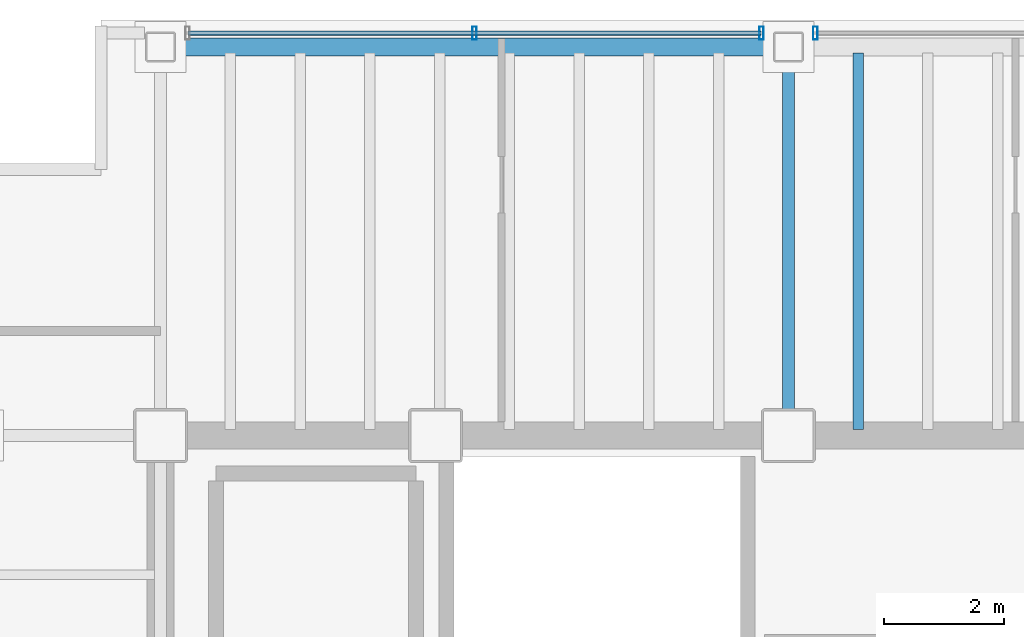
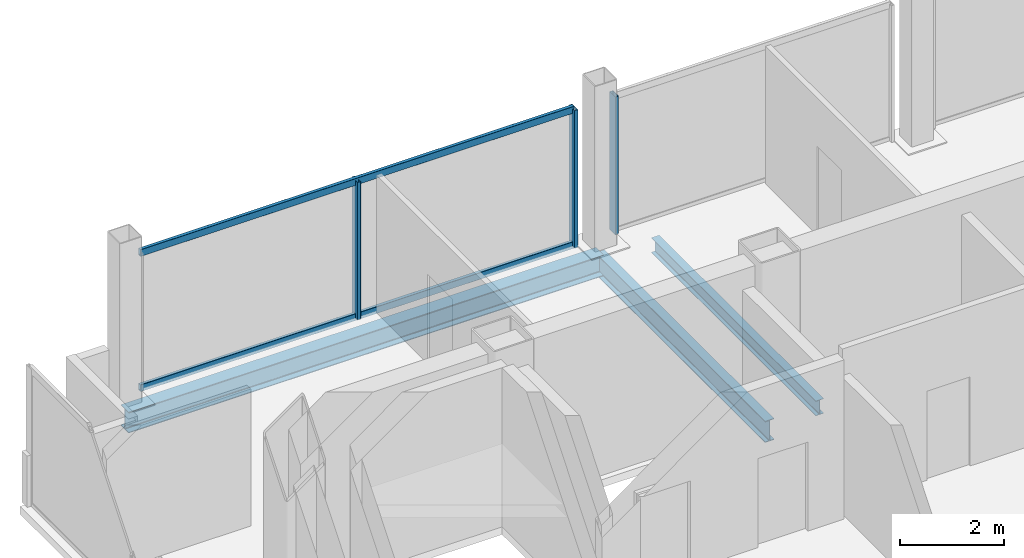
# One storey, part 7 of 16: 5 members, 3 beams, 2 elements without a shape of their own.
"""IFC4 building model written with IfcOpenShell, lengths in metres."""

from ifc_helpers import new_model, si_unit, direction, frame, origin, origin_2d, place, context, subcontext, project, spatial, hollow_rectangle, i_section, extrude, material, material_profile, profile_set, type_object, element, aggregate, save


model = new_model("IFC4")

# Units and contexts
model_context = context("Model", 3, precision=1e-05, world=origin(), true_north=direction((0.0, 1.0)))
body_context = subcontext(model_context, "Body", "Model", "MODEL_VIEW")
ifc_project = project(units=[si_unit("LENGTHUNIT", "METRE"), si_unit("AREAUNIT", "SQUARE_METRE"), si_unit("VOLUMEUNIT", "CUBIC_METRE"), si_unit("PLANEANGLEUNIT", "RADIAN"), si_unit("MASSUNIT", "GRAM", prefix="KILO")], contexts=[model_context])

# Site, building, storey
site_placement = place(None, origin())
site = spatial("IfcSite", under=ifc_project, at=site_placement, CompositionType="ELEMENT")
building_placement = place(site_placement, origin())
building = spatial("IfcBuilding", under=site, at=building_placement, Name="Noeulbin Bourse Tower", CompositionType="ELEMENT")
storey_placement = place(building_placement, frame((0.0, 0.0, 185.10009765625)))
storey = spatial("IfcBuildingStorey", under=building, at=storey_placement, Name="L46", CompositionType="ELEMENT", Elevation=185.10009765625)

# Beams
ifc_material_1 = material(Name="Steel S355", Category="steel")
ifc_material_profile_1 = material_profile(ifc_material_1, i_section(OverallWidth=0.199951171875, OverallDepth=0.5, WebThickness=0.010009765625, FlangeThickness=0.01611328125, FilletRadius=0.02001953125, at=origin_2d()), Name="H-500x200x10x16", Category="LoadBearing")
ifc_profile_set_1 = profile_set([ifc_material_profile_1], Name="Steel S355")
beam_type_1 = type_object("IfcBeamType", Name="BM-GRD-500", PredefinedType="USERDEFINED", material=ifc_profile_set_1)
beam_1_placement = place(storey_placement, frame((24.0, 38.300048828125, -0.43017578125), z_axis=(0.0, 1.0, 0.0), x_axis=(-1.0, 0.0, 0.0)))
element("IfcBeam", 1, at=beam_1_placement, inside=storey, type_object=beam_type_1, Name="Tower Primary Girder NS L46-2.4", ObjectType="GIRDER", PredefinedType="USERDEFINED", context=body_context, shape_type="SweptSolid", body=[
    extrude(i_section(OverallWidth=0.199951171875, OverallDepth=0.5, WebThickness=0.010009765625, FlangeThickness=0.01611328125, FilletRadius=0.02001953125, at=origin_2d()), origin(), (0.0, 0.0, 1.0), 6.5),
])
ifc_material_profile_2 = material_profile(ifc_material_1, i_section(OverallWidth=0.175048828125, OverallDepth=0.35009765625, WebThickness=0.007080078125, FlangeThickness=0.010986328125, FilletRadius=0.013916015625, at=origin_2d()), Name="H-350x175x7x11", Category="LoadBearing")
ifc_profile_set_2 = profile_set([ifc_material_profile_2], Name="Steel S355")
beam_type_2 = type_object("IfcBeamType", Name="BM-JST-350", PredefinedType="JOIST", material=ifc_profile_set_2)
beam_2_placement = place(storey_placement, frame((25.166748046875, 38.39990234375, -0.35498046875), z_axis=(0.0, 1.0, 0.0), x_axis=(-1.0, 0.0, 0.0)))
element("IfcBeam", 2, at=beam_2_placement, inside=storey, type_object=beam_type_2, Name="Tower Composite Joist L46-27", PredefinedType="JOIST", context=body_context, shape_type="SweptSolid", body=[
    extrude(i_section(OverallWidth=0.175048828125, OverallDepth=0.35009765625, WebThickness=0.007080078125, FlangeThickness=0.010986328125, FilletRadius=0.013916015625, at=origin_2d()), origin(), (0.0, 0.0, 1.0), 6.300048828125),
])
ifc_material_profile_3 = material_profile(ifc_material_1, i_section(OverallWidth=0.300048828125, OverallDepth=0.488037109375, WebThickness=0.010986328125, FlangeThickness=0.01806640625, FilletRadius=0.02197265625, at=origin_2d()), Name="H-488x300x11x18", Category="LoadBearing")
ifc_profile_set_3 = profile_set([ifc_material_profile_3], Name="Steel S355")
beam_type_3 = type_object("IfcBeamType", Name="BM-SPN-488", PredefinedType="SPANDREL", material=ifc_profile_set_3)
beam_3_placement = place(storey_placement, frame((13.5, 44.800048828125, -0.424072265625), z_axis=(1.0, 0.0, 0.0), x_axis=(0.0, 1.0, 0.0)))
element("IfcBeam", 3, at=beam_3_placement, inside=storey, type_object=beam_type_3, Name="North Spandrel L46-1", PredefinedType="SPANDREL", context=body_context, shape_type="SweptSolid", body=[
    extrude(i_section(OverallWidth=0.300048828125, OverallDepth=0.488037109375, WebThickness=0.010986328125, FlangeThickness=0.01806640625, FilletRadius=0.02197265625, at=origin_2d()), origin(), (0.0, 0.0, 1.0), 10.5),
])

# Curtain wall, members
ifc_material_2 = material(Name="Dark Tinted Triple Glazing", Category="glass")
curtain_wall_type = type_object("IfcCurtainWallType", Name="CW-SYS-3", PredefinedType="NOTDEFINED", material=ifc_material_2)
curtain_wall_1_placement = place(storey_placement, origin())
curtain_wall_1 = element("IfcCurtainWall", 4, at=curtain_wall_1_placement, inside=storey, type_object=curtain_wall_type, Name="Unitised Curtain Wall CW-L46-N-S1", PredefinedType="NOTDEFINED")
ifc_material_3 = material(Name="Anodised Aluminium 6063-T6", Category="aluminium")
ifc_material_profile_4 = material_profile(ifc_material_3, hollow_rectangle(XDim=0.074951171875, YDim=0.219970703125, WallThickness=0.0048828125, InnerFilletRadius=0.00244140625, OuterFilletRadius=0.0048828125, at=origin_2d()), Name="ALU-MULL-75x220x5", Category="LoadBearing")
ifc_profile_set_4 = profile_set([ifc_material_profile_4], Name="Anodised Aluminium 6063-T6")
member_type_1 = type_object("IfcMemberType", Name="CW-SYS-3-MUL", PredefinedType="MULLION", material=ifc_profile_set_4)
member_1_placement = place(storey_placement, frame((18.75, 45.030029296875, -0.02001953125), z_axis=(0.0, 0.0, 1.0), x_axis=(1.0, 0.0, 0.0)))
member_1 = element("IfcMember", 5, at=member_1_placement, type_object=member_type_1, Name="Curtain Wall Mullion CW-L46-N-S1-M01", PredefinedType="MULLION", context=body_context, shape_type="SweptSolid", body=[
    extrude(hollow_rectangle(XDim=0.074951171875, YDim=0.219970703125, WallThickness=0.0048828125, InnerFilletRadius=0.00244140625, OuterFilletRadius=0.0048828125, at=origin_2d()), origin(), (0.0, 0.0, 1.0), 3.219970703125),
])
member_2_placement = place(storey_placement, frame((23.550048828125, 45.030029296875, -0.02001953125), z_axis=(0.0, 0.0, 1.0), x_axis=(1.0, 0.0, 0.0)))
member_2 = element("IfcMember", 6, at=member_2_placement, type_object=member_type_1, Name="Curtain Wall Mullion CW-L46-N-S1-M02", PredefinedType="MULLION", context=body_context, shape_type="SweptSolid", body=[
    extrude(hollow_rectangle(XDim=0.074951171875, YDim=0.219970703125, WallThickness=0.0048828125, InnerFilletRadius=0.00244140625, OuterFilletRadius=0.0048828125, at=origin_2d()), origin(), (0.0, 0.0, 1.0), 3.219970703125),
])

# Curtain wall, member
curtain_wall_2_placement = place(storey_placement, origin())
curtain_wall_2 = element("IfcCurtainWall", 7, at=curtain_wall_2_placement, inside=storey, type_object=curtain_wall_type, Name="Unitised Curtain Wall CW-L46-N-S2", PredefinedType="NOTDEFINED")
member_3_placement = place(storey_placement, frame((24.449951171875, 45.030029296875, -0.02001953125), z_axis=(0.0, 0.0, 1.0), x_axis=(1.0, 0.0, 0.0)))
member_3 = element("IfcMember", 8, at=member_3_placement, type_object=member_type_1, Name="Curtain Wall Mullion CW-L46-N-S2-M00", PredefinedType="MULLION", context=body_context, shape_type="SweptSolid", body=[
    extrude(hollow_rectangle(XDim=0.074951171875, YDim=0.219970703125, WallThickness=0.0048828125, InnerFilletRadius=0.00244140625, OuterFilletRadius=0.0048828125, at=origin_2d()), origin(), (0.0, 0.0, 1.0), 3.219970703125),
])
aggregate(curtain_wall_2, [member_3])

# Member
ifc_material_profile_5 = material_profile(ifc_material_3, hollow_rectangle(XDim=0.074951171875, YDim=0.159912109375, WallThickness=0.0048828125, InnerFilletRadius=0.00244140625, OuterFilletRadius=0.0048828125, at=origin_2d()), Name="ALU-TRAN-75x160x5", Category="LoadBearing")
ifc_profile_set_5 = profile_set([ifc_material_profile_5], Name="Anodised Aluminium 6063-T6")
member_type_2 = type_object("IfcMemberType", Name="CW-SYS-3-TRN", PredefinedType="USERDEFINED", material=ifc_profile_set_5)
member_4_placement = place(storey_placement, frame((13.9599609375, 45.030029296875, 0.010009765625), z_axis=(1.0, 0.0, 0.0), x_axis=(0.0, 1.0, 0.0)))
member_4 = element("IfcMember", 9, at=member_4_placement, type_object=member_type_2, Name="Curtain Wall Transom CW-L46-N-S1-T00", ObjectType="TRANSOM", PredefinedType="USERDEFINED", context=body_context, shape_type="SweptSolid", body=[
    extrude(hollow_rectangle(XDim=0.074951171875, YDim=0.159912109375, WallThickness=0.0048828125, InnerFilletRadius=0.00244140625, OuterFilletRadius=0.0048828125, at=origin_2d()), origin(), (0.0, 0.0, 1.0), 9.580078125),
])

member_5_placement = place(storey_placement, frame((13.9599609375, 45.030029296875, 3.169921875), z_axis=(1.0, 0.0, 0.0), x_axis=(0.0, 1.0, 0.0)))
member_5 = element("IfcMember", 10, at=member_5_placement, type_object=member_type_2, Name="Curtain Wall Transom CW-L46-N-S1-T01", ObjectType="TRANSOM", PredefinedType="USERDEFINED", context=body_context, shape_type="SweptSolid", body=[
    extrude(hollow_rectangle(XDim=0.074951171875, YDim=0.159912109375, WallThickness=0.0048828125, InnerFilletRadius=0.00244140625, OuterFilletRadius=0.0048828125, at=origin_2d()), origin(), (0.0, 0.0, 1.0), 9.580078125),
])

aggregate(curtain_wall_1, [member_1, member_2, member_4, member_5])

save(model, "model.ifc")
